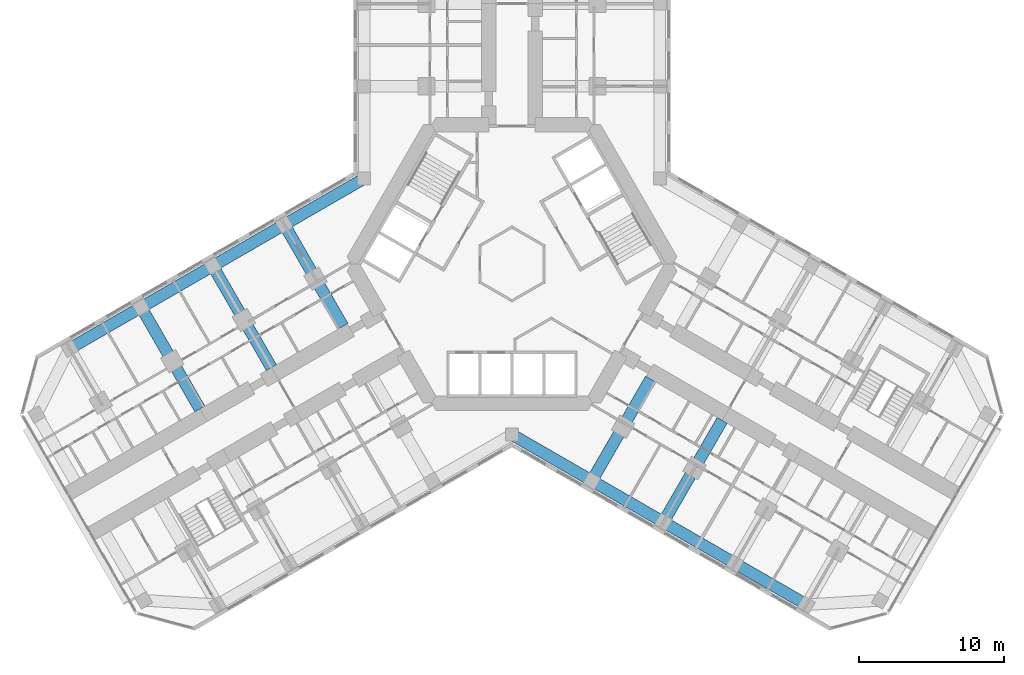
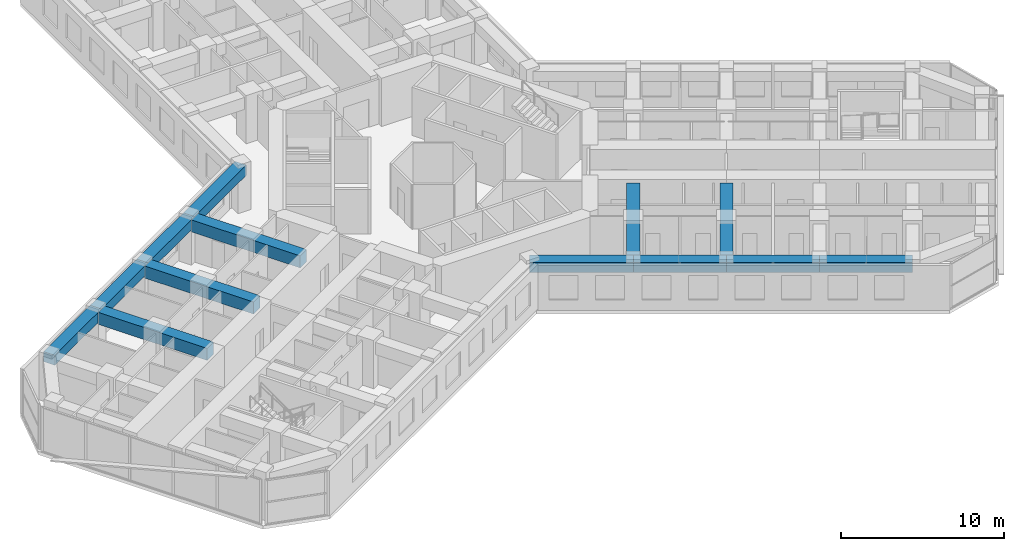
# One storey, part 4 of 21: 13 beams.
"""IFC4 building model written with IfcOpenShell, lengths in metres."""

import ifcopenshell
import ifcopenshell.guid

model = None  # the IFC model being written
_history = None  # IfcOwnerHistory: only IFC2X3 demands one
_inside = {}  # id of a spatial element -> (the spatial element, [elements in it])
_under = {}  # id of a project, library or spatial element -> (it, [spatial elements below it])
_declared = {}  # id of a project -> (the project, [libraries it declares])
_typed = {}  # id of a type object -> (the type object, [elements of that type])
_made_of = {}  # id of a material, layer set ... -> (it, [elements and type objects made of it])


def new_model(schema):
    """Start an empty IFC model of exactly this schema.

    Asked for "IFC4X3", IfcOpenShell would pick the latest addendum, in which some entities
    have other attributes; the version numbers below select the first issue.
    IFC2X3 requires an IfcOwnerHistory on every rooted entity: one is made here for all.
    """
    global model, _history
    if schema == "IFC4X3":
        model = ifcopenshell.file(schema_version=(4, 3, 0, 0))
    else:
        model = ifcopenshell.file(schema=schema)
    _inside.clear()
    _under.clear()
    _declared.clear()
    _typed.clear()
    _made_of.clear()
    _history = None
    if model.schema == "IFC2X3":
        org = make("IfcOrganization", Name="unknown")
        user = make(
            "IfcPersonAndOrganization",
            ThePerson=make("IfcPerson", FamilyName="unknown"),
            TheOrganization=org,
        )
        app = make(
            "IfcApplication",
            ApplicationDeveloper=org,
            Version="unknown",
            ApplicationFullName="unknown",
            ApplicationIdentifier="unknown",
        )
        _history = make(
            "IfcOwnerHistory",
            OwningUser=user,
            OwningApplication=app,
            ChangeAction="ADDED",
            CreationDate=0,
        )
    return model


def make(cls, **values):
    """One entity of the class cls with the attributes given. An attribute that is None is left unset."""
    return model.create_entity(
        cls, **{name: value for name, value in values.items() if value is not None}
    )


def rooted(cls, **values):
    """An entity with a GlobalId (a new one), such as an element, a storey or a relation."""
    return make(cls, GlobalId=ifcopenshell.guid.new(), OwnerHistory=_history, **values)


def si_unit(unit_type, name, prefix=None):
    """IfcSIUnit, for example si_unit("LENGTHUNIT", "METRE", prefix="MILLI")."""
    return make("IfcSIUnit", UnitType=unit_type, Prefix=prefix, Name=name)


def assignment(units):
    """IfcUnitAssignment: the units of a project."""
    return None if units is None else make("IfcUnitAssignment", Units=units)


def point(xyz):
    """IfcCartesianPoint."""
    return None if xyz is None else make("IfcCartesianPoint", Coordinates=xyz)


def direction(xyz):
    """IfcDirection."""
    return None if xyz is None else make("IfcDirection", DirectionRatios=xyz)


def frame(location, z_axis=None, x_axis=None):
    """IfcAxis2Placement3D, a coordinate frame: its origin and axes. An axis left out is left unset."""
    return make(
        "IfcAxis2Placement3D",
        Location=point(location),
        Axis=direction(z_axis),
        RefDirection=direction(x_axis),
    )


def frame_2d(location, x_axis=None):
    """IfcAxis2Placement2D, a coordinate frame in the plane: its origin and x axis."""
    return make(
        "IfcAxis2Placement2D", Location=point(location), RefDirection=direction(x_axis)
    )


def origin():
    """The frame at (0, 0, 0) with its axes left unset."""
    return frame((0.0, 0.0, 0.0))


def origin_2d():
    """The frame at (0, 0) in the plane with its x axis left unset."""
    return frame_2d((0.0, 0.0))


def place(relative_to, where):
    """IfcLocalPlacement: puts the frame where relative to a parent placement (None: the world)."""
    return make(
        "IfcLocalPlacement", PlacementRelTo=relative_to, RelativePlacement=where
    )


def context(
    kind, dimensions, precision=None, world=None, true_north=None, identifier=None
):
    """IfcGeometricRepresentationContext, for example the 3D "Model" context."""
    return make(
        "IfcGeometricRepresentationContext",
        ContextIdentifier=identifier,
        ContextType=kind,
        CoordinateSpaceDimension=dimensions,
        Precision=precision,
        WorldCoordinateSystem=world,
        TrueNorth=true_north,
    )


def subcontext(parent, identifier, kind, view, scale=None):
    """IfcGeometricRepresentationSubContext, for example "Body" below "Model"."""
    return make(
        "IfcGeometricRepresentationSubContext",
        ContextIdentifier=identifier,
        ContextType=kind,
        ParentContext=parent,
        TargetScale=scale,
        TargetView=view,
    )


def project(units=None, contexts=None):
    """IfcProject with its units and contexts."""
    return rooted(
        "IfcProject",
        Name="project",
        RepresentationContexts=contexts,
        UnitsInContext=assignment(units),
    )


def spatial(cls, under=None, at=None, **own):
    """A site, building, storey or space (cls), placed at a placement, below another one or the project."""
    s = rooted(cls, ObjectPlacement=at, **own)
    if under is not None:
        _under.setdefault(under.id(), (under, []))[1].append(s)
    return s


def profile(cls, at=None, kind="AREA", **sizes):
    """A parametric profile (cls). Its sizes go by their IFC names, for example OverallWidth=200.0."""
    return make(cls, ProfileType=kind, Position=at, **sizes)


def rectangle(**sizes):
    """IfcRectangleProfileDef."""
    return profile("IfcRectangleProfileDef", **sizes)


def extrude(swept, where, along, depth):
    """IfcExtrudedAreaSolid: the profile swept, set in the frame where, extruded along a direction by depth."""
    return make(
        "IfcExtrudedAreaSolid",
        SweptArea=swept,
        Position=where,
        ExtrudedDirection=direction(along),
        Depth=depth,
    )


def shape(context_of_items, identifier, shape_type, items):
    """IfcShapeRepresentation: the items that make up one representation, for example the "Body"."""
    return make(
        "IfcShapeRepresentation",
        ContextOfItems=context_of_items,
        RepresentationIdentifier=identifier,
        RepresentationType=shape_type,
        Items=items,
    )


def material(Name=None, Category=None):
    """IfcMaterial."""
    return make("IfcMaterial", Name=Name, Category=Category)


def material_profile(
    of_material, cross_section, Name=None, Category=None, Priority=None
):
    """IfcMaterialProfile: a cross section and its material."""
    return make(
        "IfcMaterialProfile",
        Name=Name,
        Material=of_material,
        Profile=cross_section,
        Priority=Priority,
        Category=Category,
    )


def profile_set(profiles, Name=None, composite=None):
    """IfcMaterialProfileSet."""
    return make(
        "IfcMaterialProfileSet",
        Name=Name,
        MaterialProfiles=profiles,
        CompositeProfile=composite,
    )


def made_of(thing, what):
    """Note that an element or type object is made of a material, layer set ...; save() writes the relation."""
    if what is not None:
        _made_of.setdefault(what.id(), (what, []))[1].append(thing)
    return thing


def type_object(cls, material=None, **own):
    """A type object (cls), such as IfcWallType, which elements share."""
    return made_of(rooted(cls, **own), material)


def element(
    cls,
    number,
    at=None,
    inside=None,
    cuts=None,
    type_object=None,
    material=None,
    context=None,
    identifier="Body",
    shape_type=None,
    held_by="IfcProductDefinitionShape",
    body=None,
    shapes=None,
    **own,
):
    """One element of the class cls, such as IfcWall. Its Tag is "e" and its number.

    at: its placement. inside: the storey or other place that contains it. cuts: it is an
    opening in that element (IfcRelVoidsElement). A single representation is given by context,
    identifier, shape_type and body (its items); several are given by shapes. held_by: the class
    of the entity that holds the representations. save() writes the other relations.
    """
    e = rooted(cls, Tag="e%d" % number, ObjectPlacement=at, **own)
    if body is not None:
        shapes = [shape(context, identifier, shape_type, body)]
    if shapes is not None:
        e.Representation = make(held_by, Representations=shapes)
    if inside is not None:
        _inside.setdefault(inside.id(), (inside, []))[1].append(e)
    if cuts is not None:
        rooted(
            "IfcRelVoidsElement", RelatingBuildingElement=cuts, RelatedOpeningElement=e
        )
    if type_object is not None:
        _typed.setdefault(type_object.id(), (type_object, []))[1].append(e)
    return made_of(e, material)


def aggregate(whole, parts):
    """IfcRelAggregates: a whole, such as a stair, and the parts it consists of."""
    return rooted("IfcRelAggregates", RelatingObject=whole, RelatedObjects=parts)


def save(model, path):
    """Write the relations noted so far, then the file.

    IfcRelAggregates (storeys below a building ...), IfcRelContainedInSpatialStructure (elements
    in a storey), IfcRelDefinesByType, IfcRelAssociatesMaterial and IfcRelDeclares: one each for
    every whole, place, type object, material and project.
    """
    for whole, parts in _under.values():
        aggregate(whole, parts)
    for where, things in _inside.values():
        rooted(
            "IfcRelContainedInSpatialStructure",
            RelatedElements=things,
            RelatingStructure=where,
        )
    for kind, things in _typed.values():
        rooted("IfcRelDefinesByType", RelatedObjects=things, RelatingType=kind)
    for what, things in _made_of.values():
        rooted("IfcRelAssociatesMaterial", RelatedObjects=things, RelatingMaterial=what)
    for by, libraries in _declared.values():
        rooted("IfcRelDeclares", RelatingContext=by, RelatedDefinitions=libraries)
    model.write(path)


model = new_model("IFC4")

# Units and contexts
model_context = context("Model", 3, precision=1e-05, world=origin(), true_north=direction((0.0, 1.0)))
body_context = subcontext(model_context, "Body", "Model", "MODEL_VIEW")
ifc_project = project(units=[si_unit("LENGTHUNIT", "METRE"), si_unit("AREAUNIT", "SQUARE_METRE"), si_unit("VOLUMEUNIT", "CUBIC_METRE"), si_unit("PLANEANGLEUNIT", "RADIAN"), si_unit("MASSUNIT", "GRAM", prefix="KILO")], contexts=[model_context])

# Site, building, storey
site_placement = place(None, origin())
site = spatial("IfcSite", under=ifc_project, at=site_placement, CompositionType="ELEMENT")
building_placement = place(site_placement, origin())
building = spatial("IfcBuilding", under=site, at=building_placement, Name="Kosmar Iwan School Tower", CompositionType="ELEMENT")
storey_placement = place(building_placement, frame((0.0, 0.0, 98.800048828125)))
storey = spatial("IfcBuildingStorey", under=building, at=storey_placement, Name="L24", CompositionType="ELEMENT", Elevation=98.800048828125)

# Beams
ifc_material_1 = material(Name="Concrete C50/60", Category="concrete")
ifc_material_profile_1 = material_profile(ifc_material_1, rectangle(XDim=0.800048828125, YDim=0.75, at=origin_2d()), Name="RC 800x750")
ifc_profile_set_1 = profile_set([ifc_material_profile_1], Name="Concrete C50/60")
beam_type_1 = type_object("IfcBeamType", Name="RC edge beam 800x750", PredefinedType="BEAM", material=ifc_profile_set_1)
beam_1_placement = place(storey_placement, frame((-10.199951171875, 5.888916015625, 2.974853515625), z_axis=(-0.866030912664, -0.49999045822, 0.0), x_axis=(0.49999045822, -0.866030912664, 0.0)))
element("IfcBeam", 1, at=beam_1_placement, inside=storey, type_object=beam_type_1, Name="Edge beam BR1", PredefinedType="BEAM", context=body_context, shape_type="SweptSolid", body=[
    extrude(rectangle(XDim=0.800048828125, YDim=0.75, at=origin_2d()), origin(), (0.0, 0.0, 1.0), 6.36083984375),
])
beam_2_placement = place(storey_placement, frame((-15.708740234375, 2.70849609375, 2.974853515625), z_axis=(-0.866025820012, -0.499999279071, 0.0), x_axis=(0.499999279071, -0.866025820012, 0.0)))
element("IfcBeam", 2, at=beam_2_placement, inside=storey, type_object=beam_type_1, Name="Edge beam BR2", PredefinedType="BEAM", context=body_context, shape_type="SweptSolid", body=[
    extrude(rectangle(XDim=0.800048828125, YDim=0.75, at=origin_2d()), origin(), (0.0, 0.0, 1.0), 5.7001953125),
])
for number, where, z_axis, x_axis, name in (
    (3, (-20.645263671875, -0.1416015625, 2.974853515625), (-0.866033658841, -0.49998570155, 0.0), (0.49998570155, -0.866033658841, 0.0), "Edge beam BR3"),
    (4, (-25.58154296875, -2.991455078125, 2.974853515625), (-0.866015111908, -0.50001782563, 0.0), (0.50001782563, -0.866015111908, 0.0), "Edge beam BR4"),
):
    element("IfcBeam", number, at=place(storey_placement, frame(where, z_axis=z_axis, x_axis=x_axis)), inside=storey, type_object=beam_type_1, Name=name, PredefinedType="BEAM", context=body_context, shape_type="SweptSolid", body=[
        extrude(rectangle(XDim=0.800048828125, YDim=0.75, at=origin_2d()), origin(), (0.0, 0.0, 1.0), 5.699951171875),
    ])
beam_3_placement = place(storey_placement, frame((0.0, -11.77783203125, 2.974853515625), z_axis=(0.866014293216, -0.500019243575, 0.0), x_axis=(0.500019243575, 0.866014293216, 0.0)))
element("IfcBeam", 5, at=beam_3_placement, inside=storey, type_object=beam_type_1, Name="Edge beam CR1", PredefinedType="BEAM", context=body_context, shape_type="SweptSolid", body=[
    extrude(rectangle(XDim=0.800048828125, YDim=0.75, at=origin_2d()), origin(), (0.0, 0.0, 1.0), 6.361083984375),
])
beam_4_placement = place(storey_placement, frame((5.5087890625, -14.95849609375, 2.974853515625), z_axis=(0.866033658841, -0.49998570155, 0.0), x_axis=(0.49998570155, 0.866033658841, 0.0)))
element("IfcBeam", 6, at=beam_4_placement, inside=storey, type_object=beam_type_1, Name="Edge beam CR2", PredefinedType="BEAM", context=body_context, shape_type="SweptSolid", body=[
    extrude(rectangle(XDim=0.800048828125, YDim=0.75, at=origin_2d()), origin(), (0.0, 0.0, 1.0), 5.699951171875),
])
beam_5_placement = place(storey_placement, frame((10.445068359375, -17.808349609375, 2.974853515625), z_axis=(0.866025820012, -0.499999279071, 0.0), x_axis=(0.499999279071, 0.866025820012, 0.0)))
element("IfcBeam", 7, at=beam_5_placement, inside=storey, type_object=beam_type_1, Name="Edge beam CR3", PredefinedType="BEAM", context=body_context, shape_type="SweptSolid", body=[
    extrude(rectangle(XDim=0.800048828125, YDim=0.75, at=origin_2d()), origin(), (0.0, 0.0, 1.0), 5.7001953125),
])
beam_6_placement = place(storey_placement, frame((15.381591796875, -20.658447265625, 2.974853515625), z_axis=(0.866015111908, -0.50001782563, 0.0), x_axis=(0.50001782563, 0.866015111908, 0.0)))
element("IfcBeam", 8, at=beam_6_placement, inside=storey, type_object=beam_type_1, Name="Edge beam CR4", PredefinedType="BEAM", context=body_context, shape_type="SweptSolid", body=[
    extrude(rectangle(XDim=0.800048828125, YDim=0.75, at=origin_2d()), origin(), (0.0, 0.0, 1.0), 5.699951171875),
])
ifc_material_2 = material(Name="Concrete C50/60", Category="concrete")
ifc_material_profile_2 = material_profile(ifc_material_2, rectangle(XDim=0.800048828125, YDim=0.89990234375, at=origin_2d()), Name="RC 800x900")
ifc_profile_set_2 = profile_set([ifc_material_profile_2], Name="Concrete C50/60")
beam_type_2 = type_object("IfcBeamType", Name="RC transverse beam 800x900", PredefinedType="BEAM", material=ifc_profile_set_2)
beam_7_placement = place(storey_placement, frame((-15.708740234375, 2.70849609375, 2.89990234375), z_axis=(0.499999880539, -0.866025472755, 0.0), x_axis=(0.866025472755, 0.499999880539, 0.0)))
element("IfcBeam", 9, at=beam_7_placement, inside=storey, type_object=beam_type_2, Name="Transverse beam BR1", PredefinedType="BEAM", context=body_context, shape_type="SweptSolid", body=[
    extrude(rectangle(XDim=0.800048828125, YDim=0.89990234375, at=origin_2d()), origin(), (0.0, 0.0, 1.0), 8.10009765625),
])
beam_8_placement = place(storey_placement, frame((-20.645263671875, -0.1416015625, 2.89990234375), z_axis=(0.500012932018, -0.866017937352, 0.0), x_axis=(0.866017937352, 0.500012932018, 0.0)))
element("IfcBeam", 10, at=beam_8_placement, inside=storey, type_object=beam_type_2, Name="Transverse beam BR2", PredefinedType="BEAM", context=body_context, shape_type="SweptSolid", body=[
    extrude(rectangle(XDim=0.800048828125, YDim=0.89990234375, at=origin_2d()), origin(), (0.0, 0.0, 1.0), 8.099853515625),
])
for number, where, z_axis, x_axis, name in (
    (11, (-25.58154296875, -2.991455078125, 2.89990234375), (0.499999880539, -0.866025472755, 0.0), (0.866025472755, 0.499999880539, 0.0), "Transverse beam BR3"),
    (12, (5.5087890625, -14.95849609375, 2.89990234375), (0.499999880539, 0.866025472755, 0.0), (-0.866025472755, 0.499999880539, 0.0), "Transverse beam CR1"),
):
    element("IfcBeam", number, at=place(storey_placement, frame(where, z_axis=z_axis, x_axis=x_axis)), inside=storey, type_object=beam_type_2, Name=name, PredefinedType="BEAM", context=body_context, shape_type="SweptSolid", body=[
        extrude(rectangle(XDim=0.800048828125, YDim=0.89990234375, at=origin_2d()), origin(), (0.0, 0.0, 1.0), 8.10009765625),
    ])
beam_9_placement = place(storey_placement, frame((10.445068359375, -17.808349609375, 2.89990234375), z_axis=(0.500012932018, 0.866017937352, 0.0), x_axis=(-0.866017937352, 0.500012932018, 0.0)))
element("IfcBeam", 13, at=beam_9_placement, inside=storey, type_object=beam_type_2, Name="Transverse beam CR2", PredefinedType="BEAM", context=body_context, shape_type="SweptSolid", body=[
    extrude(rectangle(XDim=0.800048828125, YDim=0.89990234375, at=origin_2d()), origin(), (0.0, 0.0, 1.0), 8.099853515625),
])

save(model, "model.ifc")
